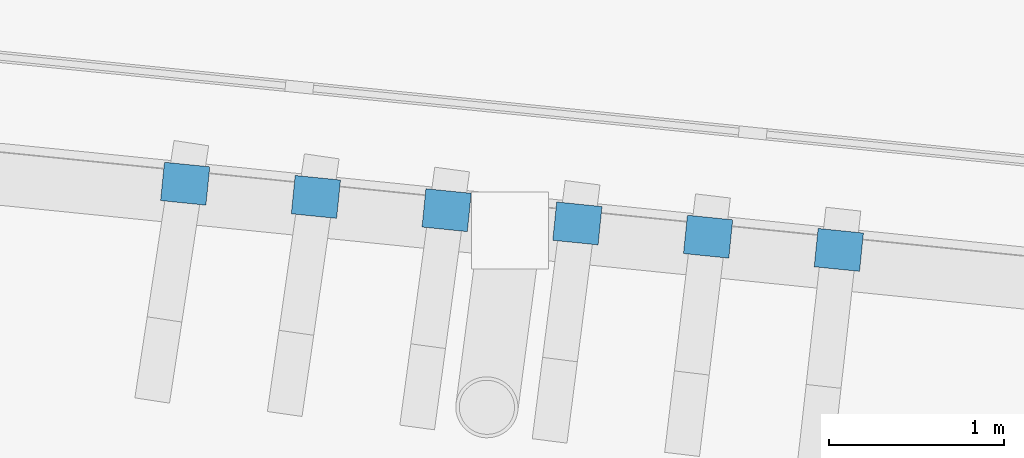
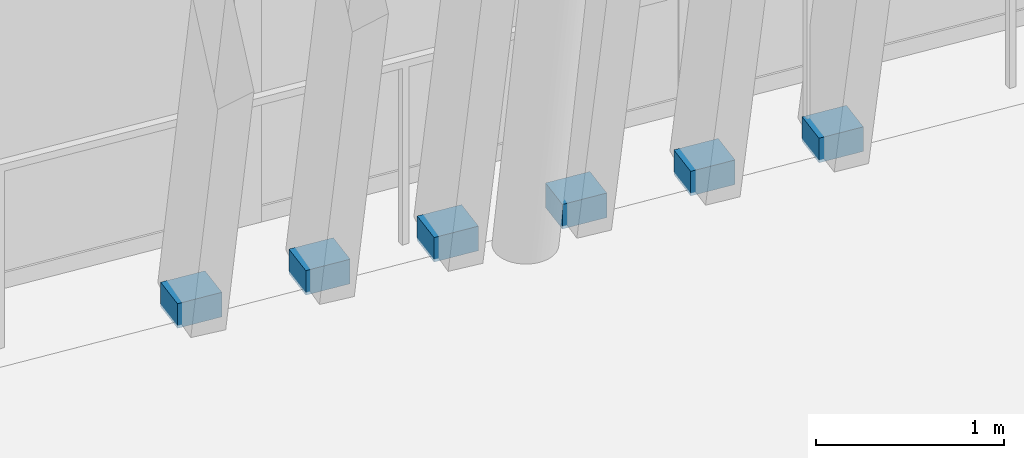
# One storey, part 140 of 179: 6 discrete accessories.
"""IFC4 building model written with IfcOpenShell, lengths in metres."""

from ifc_helpers import new_model, si_unit, direction, frame, origin, origin_2d, place, context, subcontext, project, spatial, rectangle, extrude, material, type_object, element, save


model = new_model("IFC4")

# Units and contexts
model_context = context("Model", 3, precision=1e-05, world=origin(), true_north=direction((0.0, 1.0)))
body_context = subcontext(model_context, "Body", "Model", "MODEL_VIEW")
ifc_project = project(units=[si_unit("LENGTHUNIT", "METRE"), si_unit("AREAUNIT", "SQUARE_METRE"), si_unit("VOLUMEUNIT", "CUBIC_METRE"), si_unit("PLANEANGLEUNIT", "RADIAN"), si_unit("MASSUNIT", "GRAM", prefix="KILO")], contexts=[model_context])

# Site, building, storey
site_placement = place(None, origin())
site = spatial("IfcSite", under=ifc_project, at=site_placement, CompositionType="ELEMENT")
building_placement = place(site_placement, origin())
building = spatial("IfcBuilding", under=site, at=building_placement, Name="Zlatoyarsky Gate Stadium", CompositionType="ELEMENT")
storey_placement = place(building_placement, frame((0.0, 0.0, 10.60009765625)))
storey = spatial("IfcBuildingStorey", under=building, at=storey_placement, Name="L02", CompositionType="ELEMENT", Elevation=10.60009765625)

# Discrete accessories
ifc_material = material(Name="Steel S355", Category="steel")
discrete_accessory_type = type_object("IfcDiscreteAccessoryType", Name="STEEL LOUVRE ANCHOR BRACKET 260X220X160", PredefinedType="BRACKET", material=ifc_material)
for number, where, z_axis, x_axis, name in (
    (1, (96.763671875, 7.846923828125, -0.02001953125), (0.0, 0.0, 1.0), (0.994902922915, -0.100837363985, 0.0), "Louvre anchor bracket L02-17-1"),
    (2, (97.509765625, 7.771484375, -0.02001953125), (0.0, 0.0, 1.0), (0.994902922915, -0.100837363985, 0.0), "Louvre anchor bracket L02-17-2"),
    (3, (98.255859375, 7.69580078125, -0.02001953125), (0.0, 0.0, 1.0), (0.994902922915, -0.100837363985, 0.0), "Louvre anchor bracket L02-17-3"),
    (4, (99.002197265625, 7.6201171875, -0.02001953125), (0.0, 0.0, 1.0), (0.994902922915, -0.100837363985, 0.0), "Louvre anchor bracket L02-17-4"),
    (5, (99.748291015625, 7.54443359375, -0.02001953125), (0.0, 0.0, 1.0), (0.994902922915, -0.100837363985, 0.0), "Louvre anchor bracket L02-17-5"),
    (6, (100.494384765625, 7.468994140625, -0.02001953125), (0.0, 0.0, 1.0), (0.994902922915, -0.100837363985, 0.0), "Louvre anchor bracket L02-17-6"),
):
    element("IfcDiscreteAccessory", number, at=place(storey_placement, frame(where, z_axis=z_axis, x_axis=x_axis)), inside=storey, type_object=discrete_accessory_type, Name=name, PredefinedType="BRACKET", context=body_context, shape_type="SweptSolid", body=[
        extrude(rectangle(XDim=0.260009765625, YDim=0.219970703125, at=origin_2d()), origin(), (0.0, 0.0, 1.0), 0.159912109375),
    ])

save(model, "model.ifc")
